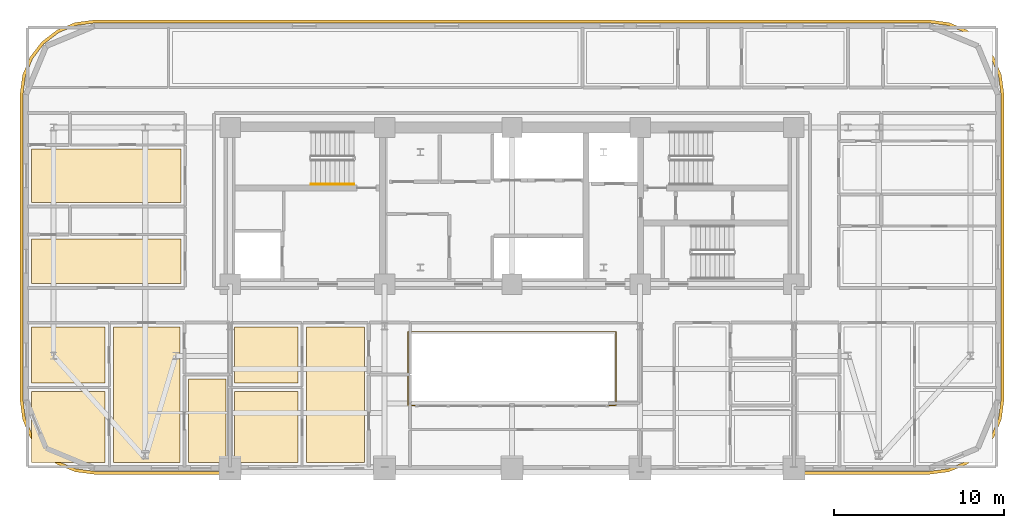
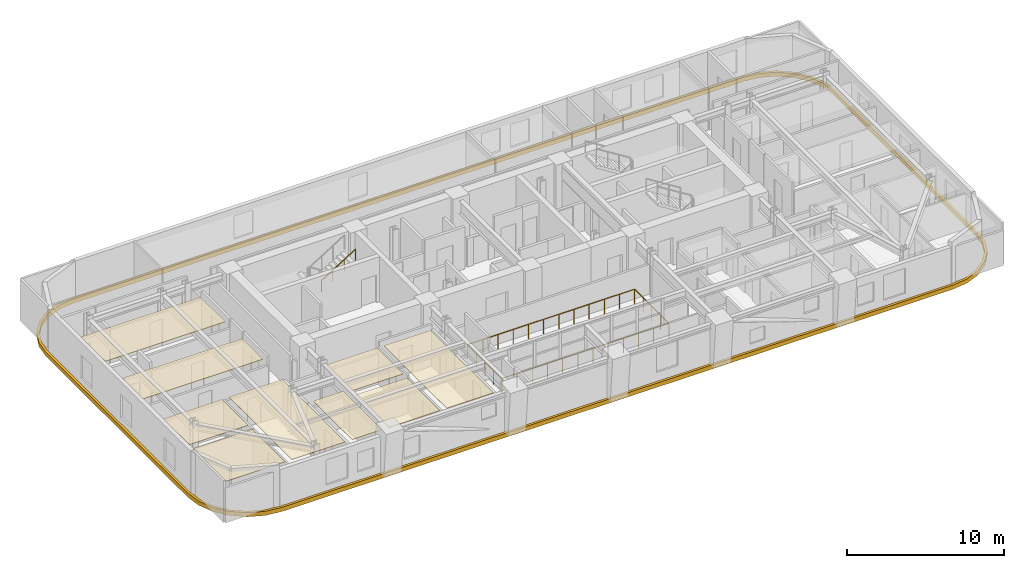
# One storey, part 14 of 16: 10 coverings, 2 railings.
"""IFC4 building model written with IfcOpenShell, lengths in metres."""

from ifc_helpers import new_model, si_unit, direction, frame, origin, origin_2d, place, context, subcontext, project, spatial, polyline, rectangle, outline, extrude, material, layer, layer_set, type_object, element, save


model = new_model("IFC4")

# Units and contexts
model_context = context("Model", 3, precision=1e-05, world=origin(), true_north=direction((0.0, 1.0)))
body_context = subcontext(model_context, "Body", "Model", "MODEL_VIEW")
ifc_project = project(units=[si_unit("LENGTHUNIT", "METRE"), si_unit("AREAUNIT", "SQUARE_METRE"), si_unit("VOLUMEUNIT", "CUBIC_METRE"), si_unit("PLANEANGLEUNIT", "RADIAN"), si_unit("MASSUNIT", "GRAM", prefix="KILO")], contexts=[model_context])

# Site, building, storey
site_placement = place(None, origin())
site = spatial("IfcSite", under=ifc_project, at=site_placement, CompositionType="ELEMENT")
building_placement = place(site_placement, origin())
building = spatial("IfcBuilding", under=site, at=building_placement, Name="Zarnavel Station Tower", CompositionType="ELEMENT")
storey_placement = place(building_placement, frame((0.0, 0.0, 101.300048828125)))
storey = spatial("IfcBuildingStorey", under=building, at=storey_placement, Name="L27", CompositionType="ELEMENT", Elevation=101.300048828125)

# Coverings
ifc_material_1 = material(Name="Perforated Gypsum and Mineral-Wool Acoustic Ceiling", Category="concrete")
ifc_layer = layer(ifc_material_1, 0.0400390625)
ifc_layer_set = layer_set([ifc_layer], Name="COV_CEIL_ACOUSTIC")
covering_type_1 = type_object("IfcCoveringType", Name="COV_CEIL_ACOUSTIC", PredefinedType="CEILING", material=ifc_layer_set)
covering_1_placement = place(storey_placement, frame((0.0, 0.0, 2.919921875)))
element("IfcCovering", 1, at=covering_1_placement, inside=storey, type_object=covering_type_1, Name="L27 FNW1R Acoustic Ceiling", PredefinedType="CEILING", context=body_context, shape_type="SweptSolid", body=[
    extrude(outline(polyline([(0.510009765625, 27.85009765625), (9.300048828125, 27.85009765625), (9.300048828125, 30.490966796875), (0.510009765625, 30.490966796875), (0.510009765625, 27.85009765625)])), origin(), (0.0, 0.0, 1.0), 0.0400390625),
])
covering_2_placement = place(storey_placement, frame((0.0, 0.0, 2.919921875)))
element("IfcCovering", 2, at=covering_2_placement, inside=storey, type_object=covering_type_1, Name="L27 FNW2R Acoustic Ceiling", PredefinedType="CEILING", context=body_context, shape_type="SweptSolid", body=[
    extrude(outline(polyline([(0.510009765625, 32.64111328125), (9.300048828125, 32.64111328125), (9.300048828125, 35.777099609375), (0.510009765625, 35.777099609375), (0.510009765625, 32.64111328125)])), origin(), (0.0, 0.0, 1.0), 0.0400390625),
])
covering_3_placement = place(storey_placement, frame((0.0, 0.0, 2.919921875)))
element("IfcCovering", 3, at=covering_3_placement, inside=storey, type_object=covering_type_1, Name="L27 UW1ALV Acoustic Ceiling", PredefinedType="CEILING", context=body_context, shape_type="SweptSolid", body=[
    extrude(outline(polyline([(5.33203125, 17.31005859375), (9.25, 17.31005859375), (9.25, 25.300048828125), (5.33203125, 25.300048828125), (5.33203125, 17.31005859375)])), origin(), (0.0, 0.0, 1.0), 0.0400390625),
])
covering_4_placement = place(storey_placement, frame((0.0, 0.0, 2.919921875)))
element("IfcCovering", 4, at=covering_4_placement, inside=storey, type_object=covering_type_1, Name="L27 UW1AKT Acoustic Ceiling", PredefinedType="CEILING", context=body_context, shape_type="SweptSolid", body=[
    extrude(outline(polyline([(9.75, 17.31005859375), (11.949951171875, 17.31005859375), (11.949951171875, 22.243896484375), (9.75, 22.243896484375), (9.75, 17.31005859375)])), origin(), (0.0, 0.0, 1.0), 0.0400390625),
])
covering_5_placement = place(storey_placement, frame((0.0, 0.0, 2.919921875)))
element("IfcCovering", 5, at=covering_5_placement, inside=storey, type_object=covering_type_1, Name="L27 UW1AB1 Acoustic Ceiling", PredefinedType="CEILING", context=body_context, shape_type="SweptSolid", body=[
    extrude(outline(polyline([(0.510009765625, 17.31005859375), (4.83203125, 17.31005859375), (4.83203125, 21.490966796875), (0.510009765625, 21.490966796875), (0.510009765625, 17.31005859375)])), origin(), (0.0, 0.0, 1.0), 0.0400390625),
])
covering_6_placement = place(storey_placement, frame((0.0, 0.0, 2.919921875)))
element("IfcCovering", 6, at=covering_6_placement, inside=storey, type_object=covering_type_1, Name="L27 UW1AB2 Acoustic Ceiling", PredefinedType="CEILING", context=body_context, shape_type="SweptSolid", body=[
    extrude(outline(polyline([(0.510009765625, 21.990966796875), (4.83203125, 21.990966796875), (4.83203125, 25.300048828125), (0.510009765625, 25.300048828125), (0.510009765625, 21.990966796875)])), origin(), (0.0, 0.0, 1.0), 0.0400390625),
])
covering_7_placement = place(storey_placement, frame((0.0, 0.0, 2.919921875)))
element("IfcCovering", 7, at=covering_7_placement, inside=storey, type_object=covering_type_1, Name="L27 UW1BLV Acoustic Ceiling", PredefinedType="CEILING", context=body_context, shape_type="SweptSolid", body=[
    extrude(outline(polyline([(16.68994140625, 17.31005859375), (20.112060546875, 17.31005859375), (20.112060546875, 25.300048828125), (16.68994140625, 25.300048828125), (16.68994140625, 17.31005859375)])), origin(), (0.0, 0.0, 1.0), 0.0400390625),
])
covering_8_placement = place(storey_placement, frame((0.0, 0.0, 2.919921875)))
element("IfcCovering", 8, at=covering_8_placement, inside=storey, type_object=covering_type_1, Name="L27 UW1BB1 Acoustic Ceiling", PredefinedType="CEILING", context=body_context, shape_type="SweptSolid", body=[
    extrude(outline(polyline([(12.449951171875, 17.31005859375), (16.18994140625, 17.31005859375), (16.18994140625, 21.490966796875), (12.449951171875, 21.490966796875), (12.449951171875, 17.31005859375)])), origin(), (0.0, 0.0, 1.0), 0.0400390625),
])
covering_9_placement = place(storey_placement, frame((0.0, 0.0, 2.919921875)))
element("IfcCovering", 9, at=covering_9_placement, inside=storey, type_object=covering_type_1, Name="L27 UW1BB2 Acoustic Ceiling", PredefinedType="CEILING", context=body_context, shape_type="SweptSolid", body=[
    extrude(outline(polyline([(12.449951171875, 21.990966796875), (16.18994140625, 21.990966796875), (16.18994140625, 25.300048828125), (12.449951171875, 25.300048828125), (12.449951171875, 21.990966796875)])), origin(), (0.0, 0.0, 1.0), 0.0400390625),
])
ifc_material_2 = material(Name="Precast concrete C45/55 (Pale Travertine Slab Band)", Category="masonry")
covering_type_2 = type_object("IfcCoveringType", Name="COV_TRAVERTINE_BAND", PredefinedType="CLADDING", material=ifc_material_2)
covering_10_placement = place(storey_placement, frame((0.0, 0.0, -0.260009765625)))
element("IfcCovering", 10, at=covering_10_placement, inside=storey, type_object=covering_type_2, Name="L27 Pale Travertine Slab-Edge Band", PredefinedType="CLADDING", context=body_context, shape_type="SweptSolid", body=[
    extrude(outline(polyline([(53.39990234375, 16.6201171875), (54.53369140625, 16.769287109375), (55.590087890625, 17.206787109375), (56.4970703125, 17.90283203125), (57.193115234375, 18.81005859375), (57.630859375, 19.866455078125), (57.780029296875, 21.0), (57.780029296875, 39.0), (57.630859375, 40.133544921875), (57.193115234375, 41.18994140625), (56.4970703125, 42.09716796875), (55.590087890625, 42.793212890625), (54.53369140625, 43.230712890625), (53.39990234375, 43.3798828125), (4.199951171875, 43.3798828125), (3.06640625, 43.230712890625), (2.010009765625, 42.793212890625), (1.102783203125, 42.09716796875), (0.40673828125, 41.18994140625), (-0.03076171875, 40.133544921875), (-0.179931640625, 39.0), (-0.179931640625, 21.0), (-0.03076171875, 19.866455078125), (0.40673828125, 18.81005859375), (1.102783203125, 17.90283203125), (2.010009765625, 17.206787109375), (3.06640625, 16.769287109375), (4.199951171875, 16.6201171875), (53.39990234375, 16.6201171875)]), holes=[polyline([(53.39990234375, 16.800048828125), (54.487060546875, 16.943115234375), (55.5, 17.36279296875), (56.369873046875, 18.0302734375), (57.037353515625, 18.89990234375), (57.456787109375, 19.9130859375), (57.60009765625, 21.0), (57.60009765625, 39.0), (57.456787109375, 40.0869140625), (57.037353515625, 41.10009765625), (56.369873046875, 41.9697265625), (55.5, 42.63720703125), (54.487060546875, 43.056884765625), (53.39990234375, 43.199951171875), (4.199951171875, 43.199951171875), (3.113037109375, 43.056884765625), (2.10009765625, 42.63720703125), (1.230224609375, 41.9697265625), (0.562744140625, 41.10009765625), (0.14306640625, 40.0869140625), (0.0, 39.0), (0.0, 21.0), (0.14306640625, 19.9130859375), (0.562744140625, 18.89990234375), (1.230224609375, 18.0302734375), (2.10009765625, 17.36279296875), (3.113037109375, 16.943115234375), (4.199951171875, 16.800048828125), (53.39990234375, 16.800048828125)])]), origin(), (0.0, 0.0, 1.0), 0.320068359375),
])

# Railings
ifc_material_3 = material(Name="Painted Steel S355J2 Balustrade", Category="steel")
railing_type_1 = type_object("IfcRailingType", Name="GR_INT_1150", PredefinedType="GUARDRAIL", material=ifc_material_3)
railing_1_placement = place(storey_placement, frame((22.679931640625, 20.679931640625, 0.0)))
element("IfcRailing", 11, at=railing_1_placement, inside=storey, type_object=railing_type_1, Name="L27 Atrium Void Guardrail", PredefinedType="GUARDRAIL", context=body_context, shape_type="SweptSolid", body=[
    extrude(rectangle(XDim=0.048095703125, YDim=0.048095703125, at=origin_2d()), frame((0.001953125, 0.0, 1.1259765625), z_axis=(1.0, 0.0, 0.0), x_axis=(0.0, 1.0, 0.0)), (0.0, 0.0, 1.0), 12.236083984375),
    extrude(rectangle(XDim=0.048095703125, YDim=0.048095703125, at=origin_2d()), frame((12.239990234375, 0.001953125, 1.1259765625), z_axis=(0.0, 1.0, 0.0), x_axis=(-1.0, 0.0, 0.0)), (0.0, 0.0, 1.0), 4.336181640625),
    extrude(rectangle(XDim=0.048095703125, YDim=0.048095703125, at=origin_2d()), frame((12.238037109375, 4.340087890625, 1.1259765625), z_axis=(-1.0, 0.0, 0.0), x_axis=(0.0, -1.0, 0.0)), (0.0, 0.0, 1.0), 12.236083984375),
    extrude(rectangle(XDim=0.048095703125, YDim=0.048095703125, at=origin_2d()), frame((0.0, 4.338134765625, 1.1259765625), z_axis=(0.0, -1.0, 0.0), x_axis=(1.0, 0.0, 0.0)), (0.0, 0.0, 1.0), 4.336181640625),
    extrude(rectangle(XDim=0.0419921875, YDim=0.0419921875, at=origin_2d()), origin(), (0.0, 0.0, 1.0), 1.101806640625),
    extrude(rectangle(XDim=0.0419921875, YDim=0.0419921875, at=origin_2d()), frame((1.11279296875, 0.0, 0.0)), (0.0, 0.0, 1.0), 1.101806640625),
    extrude(rectangle(XDim=0.0419921875, YDim=0.0419921875, at=origin_2d()), frame((2.225341796875, 0.0, 0.0)), (0.0, 0.0, 1.0), 1.101806640625),
    extrude(rectangle(XDim=0.0419921875, YDim=0.0419921875, at=origin_2d()), frame((3.338134765625, 0.0, 0.0)), (0.0, 0.0, 1.0), 1.101806640625),
    extrude(rectangle(XDim=0.0419921875, YDim=0.0419921875, at=origin_2d()), frame((4.450927734375, 0.0, 0.0)), (0.0, 0.0, 1.0), 1.101806640625),
    extrude(rectangle(XDim=0.0419921875, YDim=0.0419921875, at=origin_2d()), frame((5.563720703125, 0.0, 0.0)), (0.0, 0.0, 1.0), 1.101806640625),
    extrude(rectangle(XDim=0.0419921875, YDim=0.0419921875, at=origin_2d()), frame((6.67626953125, 0.0, 0.0)), (0.0, 0.0, 1.0), 1.101806640625),
    extrude(rectangle(XDim=0.0419921875, YDim=0.0419921875, at=origin_2d()), frame((7.7890625, 0.0, 0.0)), (0.0, 0.0, 1.0), 1.101806640625),
    extrude(rectangle(XDim=0.0419921875, YDim=0.0419921875, at=origin_2d()), frame((8.90185546875, 0.0, 0.0)), (0.0, 0.0, 1.0), 1.101806640625),
    extrude(rectangle(XDim=0.0419921875, YDim=0.0419921875, at=origin_2d()), frame((10.0146484375, 0.0, 0.0)), (0.0, 0.0, 1.0), 1.101806640625),
    extrude(rectangle(XDim=0.0419921875, YDim=0.0419921875, at=origin_2d()), frame((11.127197265625, 0.0, 0.0)), (0.0, 0.0, 1.0), 1.101806640625),
    extrude(rectangle(XDim=0.0419921875, YDim=0.0419921875, at=origin_2d()), frame((12.239990234375, 0.0, 0.0)), (0.0, 0.0, 1.0), 1.101806640625),
    extrude(rectangle(XDim=0.0419921875, YDim=0.0419921875, at=origin_2d()), frame((12.239990234375, 1.0849609375, 0.0)), (0.0, 0.0, 1.0), 1.101806640625),
    extrude(rectangle(XDim=0.0419921875, YDim=0.0419921875, at=origin_2d()), frame((12.239990234375, 2.169921875, 0.0)), (0.0, 0.0, 1.0), 1.101806640625),
    extrude(rectangle(XDim=0.0419921875, YDim=0.0419921875, at=origin_2d()), frame((12.239990234375, 3.255126953125, 0.0)), (0.0, 0.0, 1.0), 1.101806640625),
    extrude(rectangle(XDim=0.0419921875, YDim=0.0419921875, at=origin_2d()), frame((12.239990234375, 4.340087890625, 0.0)), (0.0, 0.0, 1.0), 1.101806640625),
    extrude(rectangle(XDim=0.0419921875, YDim=0.0419921875, at=origin_2d()), frame((11.127197265625, 4.340087890625, 0.0)), (0.0, 0.0, 1.0), 1.101806640625),
    extrude(rectangle(XDim=0.0419921875, YDim=0.0419921875, at=origin_2d()), frame((10.0146484375, 4.340087890625, 0.0)), (0.0, 0.0, 1.0), 1.101806640625),
    extrude(rectangle(XDim=0.0419921875, YDim=0.0419921875, at=origin_2d()), frame((8.90185546875, 4.340087890625, 0.0)), (0.0, 0.0, 1.0), 1.101806640625),
    extrude(rectangle(XDim=0.0419921875, YDim=0.0419921875, at=origin_2d()), frame((7.7890625, 4.340087890625, 0.0)), (0.0, 0.0, 1.0), 1.101806640625),
    extrude(rectangle(XDim=0.0419921875, YDim=0.0419921875, at=origin_2d()), frame((6.67626953125, 4.340087890625, 0.0)), (0.0, 0.0, 1.0), 1.101806640625),
    extrude(rectangle(XDim=0.0419921875, YDim=0.0419921875, at=origin_2d()), frame((5.563720703125, 4.340087890625, 0.0)), (0.0, 0.0, 1.0), 1.101806640625),
    extrude(rectangle(XDim=0.0419921875, YDim=0.0419921875, at=origin_2d()), frame((4.450927734375, 4.340087890625, 0.0)), (0.0, 0.0, 1.0), 1.101806640625),
    extrude(rectangle(XDim=0.0419921875, YDim=0.0419921875, at=origin_2d()), frame((3.338134765625, 4.340087890625, 0.0)), (0.0, 0.0, 1.0), 1.101806640625),
    extrude(rectangle(XDim=0.0419921875, YDim=0.0419921875, at=origin_2d()), frame((2.225341796875, 4.340087890625, 0.0)), (0.0, 0.0, 1.0), 1.101806640625),
    extrude(rectangle(XDim=0.0419921875, YDim=0.0419921875, at=origin_2d()), frame((1.11279296875, 4.340087890625, 0.0)), (0.0, 0.0, 1.0), 1.101806640625),
    extrude(rectangle(XDim=0.0419921875, YDim=0.0419921875, at=origin_2d()), frame((0.0, 4.340087890625, 0.0)), (0.0, 0.0, 1.0), 1.101806640625),
    extrude(rectangle(XDim=0.0419921875, YDim=0.0419921875, at=origin_2d()), frame((0.0, 3.255126953125, 0.0)), (0.0, 0.0, 1.0), 1.101806640625),
    extrude(rectangle(XDim=0.0419921875, YDim=0.0419921875, at=origin_2d()), frame((0.0, 2.169921875, 0.0)), (0.0, 0.0, 1.0), 1.101806640625),
    extrude(rectangle(XDim=0.0419921875, YDim=0.0419921875, at=origin_2d()), frame((0.0, 1.0849609375, 0.0)), (0.0, 0.0, 1.0), 1.101806640625),
])
ifc_material_4 = material(Name="Brushed Stainless Steel S355J2 Handrail", Category="steel")
railing_type_2 = type_object("IfcRailingType", Name="HR_STAIR_900", PredefinedType="HANDRAIL", material=ifc_material_4)
railing_2_placement = place(storey_placement, frame((16.9599609375, 33.7099609375, 1.925048828125)))
element("IfcRailing", 12, at=railing_2_placement, inside=storey, type_object=railing_type_2, Name="L27 ST1 stair handrail 2", PredefinedType="HANDRAIL", context=body_context, shape_type="SweptSolid", body=[
    extrude(rectangle(XDim=0.048095703125, YDim=0.048095703125, at=origin_2d()), frame((0.001708984375, 0.0, 0.876953125), z_axis=(0.848007534815, 0.0, 0.529984170421), x_axis=(0.0, 1.0, 0.0)), (0.0, 0.0, 1.0), 2.9677734375),
    extrude(rectangle(XDim=0.0419921875, YDim=0.0419921875, at=origin_2d()), origin(), (0.0, 0.0, 1.0), 0.851806640625),
    extrude(rectangle(XDim=0.0419921875, YDim=0.0419921875, at=origin_2d()), frame((0.840087890625, 0.0, 0.52490234375)), (0.0, 0.0, 1.0), 0.851806640625),
    extrude(rectangle(XDim=0.0419921875, YDim=0.0419921875, at=origin_2d()), frame((1.679931640625, 0.0, 1.050048828125)), (0.0, 0.0, 1.0), 0.851806640625),
    extrude(rectangle(XDim=0.0419921875, YDim=0.0419921875, at=origin_2d()), frame((2.52001953125, 0.0, 1.574951171875)), (0.0, 0.0, 1.0), 0.851806640625),
])

save(model, "model.ifc")
